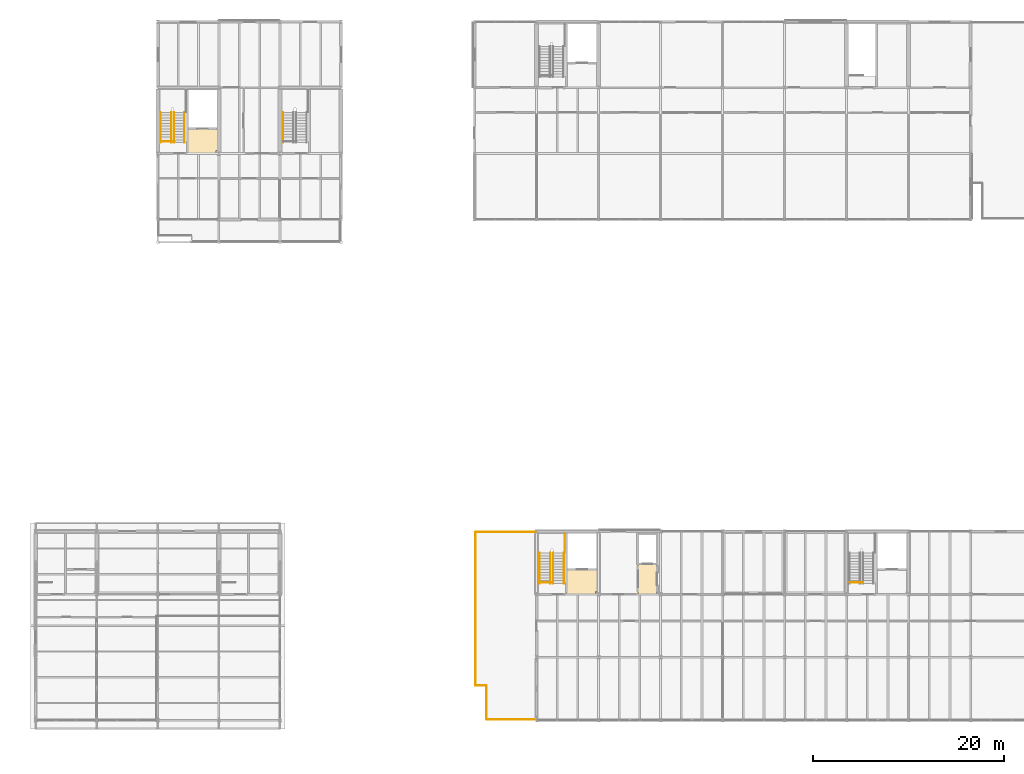
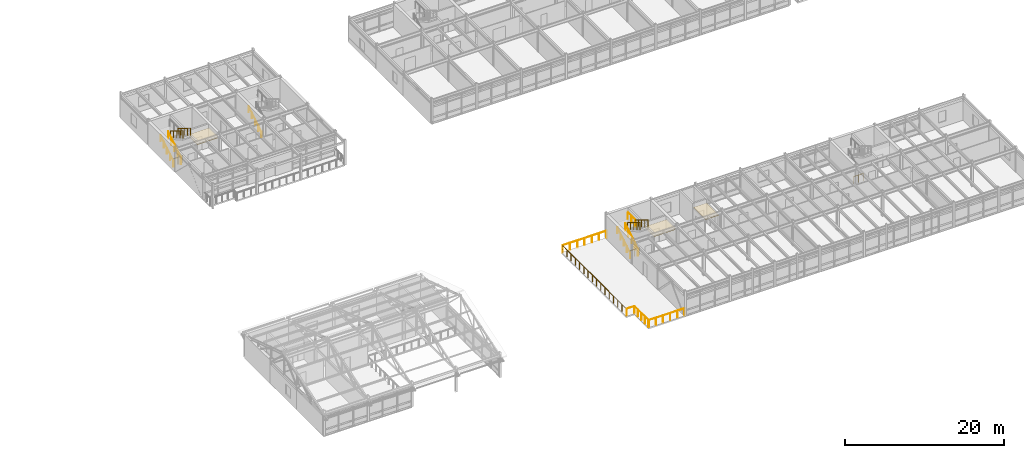
# One storey, part 54 of 57: 18 railings, 3 coverings.
"""IFC4 building model written with IfcOpenShell, lengths in metres."""

from ifc_helpers import new_model, si_unit, direction, frame, origin, origin_2d, place, context, subcontext, project, spatial, polyline, circle, outline, extrude, material, layer, layer_set, type_object, element, save


model = new_model("IFC4")

# Units and contexts
model_context = context("Model", 3, precision=1e-05, world=origin(), true_north=direction((0.0, 1.0)))
body_context = subcontext(model_context, "Body", "Model", "MODEL_VIEW")
ifc_project = project(units=[si_unit("LENGTHUNIT", "METRE"), si_unit("AREAUNIT", "SQUARE_METRE"), si_unit("VOLUMEUNIT", "CUBIC_METRE"), si_unit("PLANEANGLEUNIT", "RADIAN"), si_unit("MASSUNIT", "GRAM", prefix="KILO")], contexts=[model_context])

# Site, building, storey
site_placement = place(None, origin())
site = spatial("IfcSite", under=ifc_project, at=site_placement, CompositionType="ELEMENT")
building_placement = place(site_placement, origin())
building = spatial("IfcBuilding", under=site, at=building_placement, Name="Trelmorton Wharf Fire Station", CompositionType="ELEMENT")
storey_placement = place(building_placement, frame((0.0, 0.0, 13.5)))
storey = spatial("IfcBuildingStorey", under=building, at=storey_placement, Name="L03", CompositionType="ELEMENT", Elevation=13.5)

# Coverings
ifc_material_1 = material(Name="Mineral fibre acoustic ceiling")
ifc_layer = layer(ifc_material_1, 0.02001953125)
ifc_layer_set = layer_set([ifc_layer], Name="Mineral fibre acoustic ceiling")
covering_type = type_object("IfcCoveringType", Name="CV_CEIL_ACOU", PredefinedType="CEILING", material=ifc_layer_set)
covering_1_placement = place(storey_placement, frame((0.0, 0.0, 2.97998046875)))
element("IfcCovering", 1, at=covering_1_placement, inside=storey, type_object=covering_type, Name="CV-CLG-017", PredefinedType="CEILING", context=body_context, shape_type="SweptSolid", body=[
    extrude(outline(polyline([(113.659912109375, 21.0400390625), (113.659912109375, 23.56005859375), (116.9599609375, 23.56005859375), (116.9599609375, 21.300048828125), (116.699951171875, 21.300048828125), (116.699951171875, 21.0400390625), (113.659912109375, 21.0400390625)])), origin(), (0.0, 0.0, 1.0), 0.02001953125),
])
covering_2_placement = place(storey_placement, frame((0.0, 0.0, 2.97998046875)))
element("IfcCovering", 2, at=covering_2_placement, inside=storey, type_object=covering_type, Name="CV-CLG-018", PredefinedType="CEILING", context=body_context, shape_type="SweptSolid", body=[
    extrude(outline(polyline([(123.090087890625, 21.0400390625), (123.090087890625, 24.159912109375), (121.14990234375, 24.159912109375), (121.14990234375, 21.0400390625), (123.090087890625, 21.0400390625)])), origin(), (0.0, 0.0, 1.0), 0.02001953125),
])
covering_3_placement = place(storey_placement, frame((0.0, 0.0, 2.97998046875)))
element("IfcCovering", 3, at=covering_3_placement, inside=storey, type_object=covering_type, Name="CV-CLG-037", PredefinedType="CEILING", context=body_context, shape_type="SweptSolid", body=[
    extrude(outline(polyline([(73.9599609375, 67.239990234375), (73.9599609375, 69.760009765625), (77.159912109375, 69.760009765625), (77.159912109375, 67.5), (76.89990234375, 67.5), (76.89990234375, 67.239990234375), (73.9599609375, 67.239990234375)])), origin(), (0.0, 0.0, 1.0), 0.02001953125),
])

# Railings
ifc_material_2 = material(Name="Stainless steel 316 marine grade", Category="steel")
railing_type_1 = type_object("IfcRailingType", Name="RL_BAL_TERR", PredefinedType="BALUSTRADE", material=ifc_material_2)
railing_1_placement = place(storey_placement, frame((110.4599609375, 7.8798828125, 0.0)))
element("IfcRailing", 4, at=railing_1_placement, inside=storey, type_object=railing_type_1, Name="RL-DECK-L03-026", PredefinedType="BALUSTRADE", context=body_context, shape_type="SweptSolid", body=[
    extrude(circle(Radius=0.02392578125, at=origin_2d()), frame((0.0, 0.0, 1.09619140625), z_axis=(-1.0, 0.0, 0.0), x_axis=(0.0, -1.0, 0.0)), (0.0, 0.0, 1.0), 5.169921875),
    extrude(circle(Radius=0.02099609375, at=origin_2d()), origin(), (0.0, 0.0, 1.0), 1.072021484375),
    extrude(circle(Radius=0.02099609375, at=origin_2d()), frame((-1.033935546875, 0.0, 0.0)), (0.0, 0.0, 1.0), 1.072021484375),
    extrude(circle(Radius=0.02099609375, at=origin_2d()), frame((-2.06787109375, 0.0, 0.0)), (0.0, 0.0, 1.0), 1.072021484375),
    extrude(circle(Radius=0.02099609375, at=origin_2d()), frame((-3.10205078125, 0.0, 0.0)), (0.0, 0.0, 1.0), 1.072021484375),
    extrude(circle(Radius=0.02099609375, at=origin_2d()), frame((-4.135986328125, 0.0, 0.0)), (0.0, 0.0, 1.0), 1.072021484375),
    extrude(circle(Radius=0.02099609375, at=origin_2d()), frame((-5.169921875, 0.0, 0.0)), (0.0, 0.0, 1.0), 1.072021484375),
])
railing_2_placement = place(storey_placement, frame((105.25, 7.919921875, 0.0)))
element("IfcRailing", 5, at=railing_2_placement, inside=storey, type_object=railing_type_1, Name="RL-DECK-L03-027", PredefinedType="BALUSTRADE", context=body_context, shape_type="SweptSolid", body=[
    extrude(circle(Radius=0.02392578125, at=origin_2d()), frame((0.0, 0.0, 1.09619140625), z_axis=(0.0, 1.0, 0.0), x_axis=(-1.0, 0.0, 0.0)), (0.0, 0.0, 1.0), 3.47998046875),
    extrude(circle(Radius=0.02099609375, at=origin_2d()), origin(), (0.0, 0.0, 1.0), 1.072021484375),
    extrude(circle(Radius=0.02099609375, at=origin_2d()), frame((0.0, 0.8701171875, 0.0)), (0.0, 0.0, 1.0), 1.072021484375),
    extrude(circle(Radius=0.02099609375, at=origin_2d()), frame((0.0, 1.739990234375, 0.0)), (0.0, 0.0, 1.0), 1.072021484375),
    extrude(circle(Radius=0.02099609375, at=origin_2d()), frame((0.0, 2.60986328125, 0.0)), (0.0, 0.0, 1.0), 1.072021484375),
    extrude(circle(Radius=0.02099609375, at=origin_2d()), frame((0.0, 3.47998046875, 0.0)), (0.0, 0.0, 1.0), 1.072021484375),
])
railing_3_placement = place(storey_placement, frame((105.2099609375, 11.43994140625, 0.0)))
element("IfcRailing", 6, at=railing_3_placement, inside=storey, type_object=railing_type_1, Name="RL-DECK-L03-028", PredefinedType="BALUSTRADE", context=body_context, shape_type="SweptSolid", body=[
    extrude(circle(Radius=0.02392578125, at=origin_2d()), frame((0.0, 0.0, 1.09619140625), z_axis=(-1.0, 0.0, 0.0), x_axis=(0.0, -1.0, 0.0)), (0.0, 0.0, 1.0), 1.08984375),
    extrude(circle(Radius=0.02099609375, at=origin_2d()), origin(), (0.0, 0.0, 1.0), 1.072021484375),
    extrude(circle(Radius=0.02099609375, at=origin_2d()), frame((-1.08984375, 0.0, 0.0)), (0.0, 0.0, 1.0), 1.072021484375),
])
railing_4_placement = place(storey_placement, frame((104.080078125, 11.47998046875, 0.0)))
element("IfcRailing", 7, at=railing_4_placement, inside=storey, type_object=railing_type_1, Name="RL-DECK-L03-029", PredefinedType="BALUSTRADE", context=body_context, shape_type="SweptSolid", body=[
    extrude(circle(Radius=0.02392578125, at=origin_2d()), frame((0.0, 0.0, 1.09619140625), z_axis=(0.0, 1.0, 0.0), x_axis=(-1.0, 0.0, 0.0)), (0.0, 0.0, 1.0), 16.0),
    extrude(circle(Radius=0.02099609375, at=origin_2d()), origin(), (0.0, 0.0, 1.0), 1.072021484375),
    extrude(circle(Radius=0.02099609375, at=origin_2d()), frame((0.0, 1.066650390625, 0.0)), (0.0, 0.0, 1.0), 1.072021484375),
    extrude(circle(Radius=0.02099609375, at=origin_2d()), frame((0.0, 2.13330078125, 0.0)), (0.0, 0.0, 1.0), 1.072021484375),
    extrude(circle(Radius=0.02099609375, at=origin_2d()), frame((0.0, 3.199951171875, 0.0)), (0.0, 0.0, 1.0), 1.072021484375),
    extrude(circle(Radius=0.02099609375, at=origin_2d()), frame((0.0, 4.2666015625, 0.0)), (0.0, 0.0, 1.0), 1.072021484375),
    extrude(circle(Radius=0.02099609375, at=origin_2d()), frame((0.0, 5.333251953125, 0.0)), (0.0, 0.0, 1.0), 1.072021484375),
    extrude(circle(Radius=0.02099609375, at=origin_2d()), frame((0.0, 6.39990234375, 0.0)), (0.0, 0.0, 1.0), 1.072021484375),
    extrude(circle(Radius=0.02099609375, at=origin_2d()), frame((0.0, 7.466552734375, 0.0)), (0.0, 0.0, 1.0), 1.072021484375),
    extrude(circle(Radius=0.02099609375, at=origin_2d()), frame((0.0, 8.533447265625, 0.0)), (0.0, 0.0, 1.0), 1.072021484375),
    extrude(circle(Radius=0.02099609375, at=origin_2d()), frame((0.0, 9.60009765625, 0.0)), (0.0, 0.0, 1.0), 1.072021484375),
    extrude(circle(Radius=0.02099609375, at=origin_2d()), frame((0.0, 10.666748046875, 0.0)), (0.0, 0.0, 1.0), 1.072021484375),
    extrude(circle(Radius=0.02099609375, at=origin_2d()), frame((0.0, 11.7333984375, 0.0)), (0.0, 0.0, 1.0), 1.072021484375),
    extrude(circle(Radius=0.02099609375, at=origin_2d()), frame((0.0, 12.800048828125, 0.0)), (0.0, 0.0, 1.0), 1.072021484375),
    extrude(circle(Radius=0.02099609375, at=origin_2d()), frame((0.0, 13.86669921875, 0.0)), (0.0, 0.0, 1.0), 1.072021484375),
    extrude(circle(Radius=0.02099609375, at=origin_2d()), frame((0.0, 14.933349609375, 0.0)), (0.0, 0.0, 1.0), 1.072021484375),
    extrude(circle(Radius=0.02099609375, at=origin_2d()), frame((0.0, 16.0, 0.0)), (0.0, 0.0, 1.0), 1.072021484375),
])
railing_5_placement = place(storey_placement, frame((104.1201171875, 27.52001953125, 0.0)))
element("IfcRailing", 8, at=railing_5_placement, inside=storey, type_object=railing_type_1, Name="RL-DECK-L03-030", PredefinedType="BALUSTRADE", context=body_context, shape_type="SweptSolid", body=[
    extrude(circle(Radius=0.02392578125, at=origin_2d()), frame((0.0, 0.0, 1.09619140625), z_axis=(1.0, 0.0, 0.0), x_axis=(0.0, 1.0, 0.0)), (0.0, 0.0, 1.0), 6.33984375),
    extrude(circle(Radius=0.02099609375, at=origin_2d()), origin(), (0.0, 0.0, 1.0), 1.072021484375),
    extrude(circle(Radius=0.02099609375, at=origin_2d()), frame((1.056640625, 0.0, 0.0)), (0.0, 0.0, 1.0), 1.072021484375),
    extrude(circle(Radius=0.02099609375, at=origin_2d()), frame((2.11328125, 0.0, 0.0)), (0.0, 0.0, 1.0), 1.072021484375),
    extrude(circle(Radius=0.02099609375, at=origin_2d()), frame((3.169921875, 0.0, 0.0)), (0.0, 0.0, 1.0), 1.072021484375),
    extrude(circle(Radius=0.02099609375, at=origin_2d()), frame((4.2265625, 0.0, 0.0)), (0.0, 0.0, 1.0), 1.072021484375),
    extrude(circle(Radius=0.02099609375, at=origin_2d()), frame((5.283203125, 0.0, 0.0)), (0.0, 0.0, 1.0), 1.072021484375),
    extrude(circle(Radius=0.02099609375, at=origin_2d()), frame((6.33984375, 0.0, 0.0)), (0.0, 0.0, 1.0), 1.072021484375),
])
railing_type_2 = type_object("IfcRailingType", Name="RL_HAND_900", PredefinedType="HANDRAIL", material=ifc_material_2)
railing_6_placement = place(storey_placement, frame((110.81005859375, 22.139892578125, 0.0)))
element("IfcRailing", 9, at=railing_6_placement, inside=storey, type_object=railing_type_2, Name="RL-HR1-STR-C3-L03-11", PredefinedType="HANDRAIL", context=body_context, shape_type="SweptSolid", body=[
    extrude(circle(Radius=0.02099609375, at=origin_2d()), frame((0.0, 0.0, 0.87890625), z_axis=(0.0, 0.853235021851, 0.521526602856), x_axis=(-1.0, 0.0, 0.0)), (0.0, 0.0, 1.0), 3.739013671875),
    extrude(circle(Radius=0.02099609375, at=origin_2d()), origin(), (0.0, 0.0, 1.0), 0.85791015625),
    extrude(circle(Radius=0.02099609375, at=origin_2d()), frame((0.0, 0.797607421875, 0.487548828125)), (0.0, 0.0, 1.0), 0.85791015625),
    extrude(circle(Radius=0.02099609375, at=origin_2d()), frame((0.0, 1.59521484375, 0.97509765625)), (0.0, 0.0, 1.0), 0.85791015625),
    extrude(circle(Radius=0.02099609375, at=origin_2d()), frame((0.0, 2.392578125, 1.46240234375)), (0.0, 0.0, 1.0), 0.85791015625),
    extrude(circle(Radius=0.02099609375, at=origin_2d()), frame((0.0, 3.190185546875, 1.949951171875)), (0.0, 0.0, 1.0), 0.85791015625),
])
for number, where, name in (
    (10, (71.110107421875, 68.340087890625, 0.0), "RL-HR1-STR-C6-L03-24"),
    (11, (83.909912109375, 68.340087890625, 0.0), "RL-HR1-STR-C6B-L03-30"),
):
    element("IfcRailing", number, at=place(storey_placement, frame(where)), inside=storey, type_object=railing_type_2, Name=name, PredefinedType="HANDRAIL", context=body_context, shape_type="SweptSolid", body=[
        extrude(circle(Radius=0.02099609375, at=origin_2d()), frame((0.0, 0.0, 0.87890625), z_axis=(0.0, 0.853217260254, 0.521555660313), x_axis=(-1.0, 0.0, 0.0)), (0.0, 0.0, 1.0), 3.73876953125),
        extrude(circle(Radius=0.02099609375, at=origin_2d()), origin(), (0.0, 0.0, 1.0), 0.85791015625),
        extrude(circle(Radius=0.02099609375, at=origin_2d()), frame((0.0, 0.79736328125, 0.487548828125)), (0.0, 0.0, 1.0), 0.85791015625),
        extrude(circle(Radius=0.02099609375, at=origin_2d()), frame((0.0, 1.594970703125, 0.97509765625)), (0.0, 0.0, 1.0), 0.85791015625),
        extrude(circle(Radius=0.02099609375, at=origin_2d()), frame((0.0, 2.392578125, 1.46240234375)), (0.0, 0.0, 1.0), 0.85791015625),
        extrude(circle(Radius=0.02099609375, at=origin_2d()), frame((0.0, 3.18994140625, 1.949951171875)), (0.0, 0.0, 1.0), 0.85791015625),
    ])
railing_type_3 = type_object("IfcRailingType", Name="RL_WELL_1100", PredefinedType="BALUSTRADE", material=ifc_material_2)
railing_7_placement = place(storey_placement, frame((110.860107421875, 22.260009765625, 0.0)))
element("IfcRailing", 12, at=railing_7_placement, inside=storey, type_object=railing_type_3, Name="RL-UPWELL-STR-C3-L02-10", PredefinedType="BALUSTRADE", context=body_context, shape_type="SweptSolid", body=[
    extrude(circle(Radius=0.02392578125, at=origin_2d()), frame((0.0, 0.0, 1.09619140625), z_axis=(1.0, 0.0, 0.0), x_axis=(0.0, 1.0, 0.0)), (0.0, 0.0, 1.0), 1.33984375),
    extrude(circle(Radius=0.02099609375, at=origin_2d()), origin(), (0.0, 0.0, 1.0), 1.072021484375),
    extrude(circle(Radius=0.02099609375, at=origin_2d()), frame((0.669921875, 0.0, 0.0)), (0.0, 0.0, 1.0), 1.072021484375),
    extrude(circle(Radius=0.02099609375, at=origin_2d()), frame((1.33984375, 0.0, 0.0)), (0.0, 0.0, 1.0), 1.072021484375),
])
railing_8_placement = place(storey_placement, frame((113.455078125, 27.35498046875, 1.949951171875)))
element("IfcRailing", 13, at=railing_8_placement, inside=storey, type_object=railing_type_3, Name="RL-GW-OUT1-STR-C3-L03-11", PredefinedType="BALUSTRADE", context=body_context, shape_type="SweptSolid", body=[
    extrude(circle(Radius=0.02392578125, at=origin_2d()), frame((0.0, 0.0, 1.09619140625), z_axis=(0.0, -1.0, 0.0), x_axis=(1.0, 0.0, 0.0)), (0.0, 0.0, 1.0), 1.98486328125),
    extrude(circle(Radius=0.02099609375, at=origin_2d()), origin(), (0.0, 0.0, 1.0), 1.072021484375),
    extrude(circle(Radius=0.02099609375, at=origin_2d()), frame((0.0, -0.992431640625, 0.0)), (0.0, 0.0, 1.0), 1.072021484375),
    extrude(circle(Radius=0.02099609375, at=origin_2d()), frame((0.0, -1.98486328125, 0.0)), (0.0, 0.0, 1.0), 1.072021484375),
])
railing_9_placement = place(storey_placement, frame((113.389892578125, 25.330078125, 1.949951171875)))
element("IfcRailing", 14, at=railing_9_placement, inside=storey, type_object=railing_type_3, Name="RL-GW-OUT2-STR-C3-L03-11", PredefinedType="BALUSTRADE", context=body_context, shape_type="SweptSolid", body=[
    extrude(circle(Radius=0.02392578125, at=origin_2d()), frame((0.0, 0.0, 1.09619140625), z_axis=(0.0, -0.853235021851, 0.521526602856), x_axis=(1.0, 0.0, 0.0)), (0.0, 0.0, 1.0), 3.739013671875),
    extrude(circle(Radius=0.02099609375, at=origin_2d()), origin(), (0.0, 0.0, 1.0), 1.072021484375),
    extrude(circle(Radius=0.02099609375, at=origin_2d()), frame((0.0, -0.797607421875, 0.487548828125)), (0.0, 0.0, 1.0), 1.072021484375),
    extrude(circle(Radius=0.02099609375, at=origin_2d()), frame((0.0, -1.59521484375, 0.97509765625)), (0.0, 0.0, 1.0), 1.072021484375),
    extrude(circle(Radius=0.02099609375, at=origin_2d()), frame((0.0, -2.392578125, 1.46240234375)), (0.0, 0.0, 1.0), 1.072021484375),
    extrude(circle(Radius=0.02099609375, at=origin_2d()), frame((0.0, -3.190185546875, 1.949951171875)), (0.0, 0.0, 1.0), 1.072021484375),
])
railing_10_placement = place(storey_placement, frame((111.949951171875, 22.139892578125, 0.0)))
element("IfcRailing", 15, at=railing_10_placement, inside=storey, type_object=railing_type_3, Name="RL-GW-IN1-STR-C3-L03-11", PredefinedType="BALUSTRADE", context=body_context, shape_type="SweptSolid", body=[
    extrude(circle(Radius=0.02392578125, at=origin_2d()), frame((0.0, 0.0, 1.09619140625), z_axis=(0.0, 0.853235021851, 0.521526602856), x_axis=(-1.0, 0.0, 0.0)), (0.0, 0.0, 1.0), 3.739013671875),
    extrude(circle(Radius=0.02099609375, at=origin_2d()), origin(), (0.0, 0.0, 1.0), 1.072021484375),
    extrude(circle(Radius=0.02099609375, at=origin_2d()), frame((0.0, 0.797607421875, 0.487548828125)), (0.0, 0.0, 1.0), 1.072021484375),
    extrude(circle(Radius=0.02099609375, at=origin_2d()), frame((0.0, 1.59521484375, 0.97509765625)), (0.0, 0.0, 1.0), 1.072021484375),
    extrude(circle(Radius=0.02099609375, at=origin_2d()), frame((0.0, 2.392578125, 1.46240234375)), (0.0, 0.0, 1.0), 1.072021484375),
    extrude(circle(Radius=0.02099609375, at=origin_2d()), frame((0.0, 3.190185546875, 1.949951171875)), (0.0, 0.0, 1.0), 1.072021484375),
])
railing_11_placement = place(storey_placement, frame((112.25, 25.330078125, 1.949951171875)))
element("IfcRailing", 16, at=railing_11_placement, inside=storey, type_object=railing_type_3, Name="RL-GW-IN2-STR-C3-L03-11", PredefinedType="BALUSTRADE", context=body_context, shape_type="SweptSolid", body=[
    extrude(circle(Radius=0.02392578125, at=origin_2d()), frame((0.0, 0.0, 1.09619140625), z_axis=(0.0, -0.853235021851, 0.521526602856), x_axis=(1.0, 0.0, 0.0)), (0.0, 0.0, 1.0), 3.739013671875),
    extrude(circle(Radius=0.02099609375, at=origin_2d()), origin(), (0.0, 0.0, 1.0), 1.072021484375),
    extrude(circle(Radius=0.02099609375, at=origin_2d()), frame((0.0, -0.797607421875, 0.487548828125)), (0.0, 0.0, 1.0), 1.072021484375),
    extrude(circle(Radius=0.02099609375, at=origin_2d()), frame((0.0, -1.59521484375, 0.97509765625)), (0.0, 0.0, 1.0), 1.072021484375),
    extrude(circle(Radius=0.02099609375, at=origin_2d()), frame((0.0, -2.392578125, 1.46240234375)), (0.0, 0.0, 1.0), 1.072021484375),
    extrude(circle(Radius=0.02099609375, at=origin_2d()), frame((0.0, -3.190185546875, 1.949951171875)), (0.0, 0.0, 1.0), 1.072021484375),
])
railing_12_placement = place(storey_placement, frame((143.360107421875, 22.260009765625, 0.0)))
element("IfcRailing", 17, at=railing_12_placement, inside=storey, type_object=railing_type_3, Name="RL-UPWELL-STR-C4-L02-15", PredefinedType="BALUSTRADE", context=body_context, shape_type="SweptSolid", body=[
    extrude(circle(Radius=0.02392578125, at=origin_2d()), frame((0.0, 0.0, 1.09619140625), z_axis=(1.0, 0.0, 0.0), x_axis=(0.0, 1.0, 0.0)), (0.0, 0.0, 1.0), 1.3798828125),
    extrude(circle(Radius=0.02099609375, at=origin_2d()), origin(), (0.0, 0.0, 1.0), 1.072021484375),
    extrude(circle(Radius=0.02099609375, at=origin_2d()), frame((0.68994140625, 0.0, 0.0)), (0.0, 0.0, 1.0), 1.072021484375),
    extrude(circle(Radius=0.02099609375, at=origin_2d()), frame((1.3798828125, 0.0, 0.0)), (0.0, 0.0, 1.0), 1.072021484375),
])
railing_13_placement = place(storey_placement, frame((71.159912109375, 68.4599609375, 0.0)))
element("IfcRailing", 18, at=railing_13_placement, inside=storey, type_object=railing_type_3, Name="RL-UPWELL-STR-C6-L02-23", PredefinedType="BALUSTRADE", context=body_context, shape_type="SweptSolid", body=[
    extrude(circle(Radius=0.02392578125, at=origin_2d()), frame((0.0, 0.0, 1.09619140625), z_axis=(1.0, 0.0, 0.0), x_axis=(0.0, 1.0, 0.0)), (0.0, 0.0, 1.0), 1.380126953125),
    extrude(circle(Radius=0.02099609375, at=origin_2d()), origin(), (0.0, 0.0, 1.0), 1.072021484375),
    extrude(circle(Radius=0.02099609375, at=origin_2d()), frame((0.68994140625, 0.0, 0.0)), (0.0, 0.0, 1.0), 1.072021484375),
    extrude(circle(Radius=0.02099609375, at=origin_2d()), frame((1.380126953125, 0.0, 0.0)), (0.0, 0.0, 1.0), 1.072021484375),
])
railing_14_placement = place(storey_placement, frame((73.610107421875, 71.530029296875, 1.949951171875)))
element("IfcRailing", 19, at=railing_14_placement, inside=storey, type_object=railing_type_3, Name="RL-GW-OUT2-STR-C6-L03-24", PredefinedType="BALUSTRADE", context=body_context, shape_type="SweptSolid", body=[
    extrude(circle(Radius=0.02392578125, at=origin_2d()), frame((0.0, 0.0, 1.09619140625), z_axis=(0.0, -0.853217260254, 0.521555660313), x_axis=(1.0, 0.0, 0.0)), (0.0, 0.0, 1.0), 3.73876953125),
    extrude(circle(Radius=0.02099609375, at=origin_2d()), origin(), (0.0, 0.0, 1.0), 1.072021484375),
    extrude(circle(Radius=0.02099609375, at=origin_2d()), frame((0.0, -0.79736328125, 0.487548828125)), (0.0, 0.0, 1.0), 1.072021484375),
    extrude(circle(Radius=0.02099609375, at=origin_2d()), frame((0.0, -1.594970703125, 0.97509765625)), (0.0, 0.0, 1.0), 1.072021484375),
    extrude(circle(Radius=0.02099609375, at=origin_2d()), frame((0.0, -2.392578125, 1.46240234375)), (0.0, 0.0, 1.0), 1.072021484375),
    extrude(circle(Radius=0.02099609375, at=origin_2d()), frame((0.0, -3.18994140625, 1.949951171875)), (0.0, 0.0, 1.0), 1.072021484375),
])
railing_15_placement = place(storey_placement, frame((72.2099609375, 68.340087890625, 0.0)))
element("IfcRailing", 20, at=railing_15_placement, inside=storey, type_object=railing_type_3, Name="RL-GW-IN1-STR-C6-L03-24", PredefinedType="BALUSTRADE", context=body_context, shape_type="SweptSolid", body=[
    extrude(circle(Radius=0.02392578125, at=origin_2d()), frame((0.0, 0.0, 1.09619140625), z_axis=(0.0, 0.853217260254, 0.521555660313), x_axis=(-1.0, 0.0, 0.0)), (0.0, 0.0, 1.0), 3.73876953125),
    extrude(circle(Radius=0.02099609375, at=origin_2d()), origin(), (0.0, 0.0, 1.0), 1.072021484375),
    extrude(circle(Radius=0.02099609375, at=origin_2d()), frame((0.0, 0.79736328125, 0.487548828125)), (0.0, 0.0, 1.0), 1.072021484375),
    extrude(circle(Radius=0.02099609375, at=origin_2d()), frame((0.0, 1.594970703125, 0.97509765625)), (0.0, 0.0, 1.0), 1.072021484375),
    extrude(circle(Radius=0.02099609375, at=origin_2d()), frame((0.0, 2.392578125, 1.46240234375)), (0.0, 0.0, 1.0), 1.072021484375),
    extrude(circle(Radius=0.02099609375, at=origin_2d()), frame((0.0, 3.18994140625, 1.949951171875)), (0.0, 0.0, 1.0), 1.072021484375),
])
railing_16_placement = place(storey_placement, frame((72.510009765625, 71.530029296875, 1.949951171875)))
element("IfcRailing", 21, at=railing_16_placement, inside=storey, type_object=railing_type_3, Name="RL-GW-IN2-STR-C6-L03-24", PredefinedType="BALUSTRADE", context=body_context, shape_type="SweptSolid", body=[
    extrude(circle(Radius=0.02392578125, at=origin_2d()), frame((0.0, 0.0, 1.09619140625), z_axis=(0.0, -0.853217260254, 0.521555660313), x_axis=(1.0, 0.0, 0.0)), (0.0, 0.0, 1.0), 3.73876953125),
    extrude(circle(Radius=0.02099609375, at=origin_2d()), origin(), (0.0, 0.0, 1.0), 1.072021484375),
    extrude(circle(Radius=0.02099609375, at=origin_2d()), frame((0.0, -0.79736328125, 0.487548828125)), (0.0, 0.0, 1.0), 1.072021484375),
    extrude(circle(Radius=0.02099609375, at=origin_2d()), frame((0.0, -1.594970703125, 0.97509765625)), (0.0, 0.0, 1.0), 1.072021484375),
    extrude(circle(Radius=0.02099609375, at=origin_2d()), frame((0.0, -2.392578125, 1.46240234375)), (0.0, 0.0, 1.0), 1.072021484375),
    extrude(circle(Radius=0.02099609375, at=origin_2d()), frame((0.0, -3.18994140625, 1.949951171875)), (0.0, 0.0, 1.0), 1.072021484375),
])

save(model, "model.ifc")
